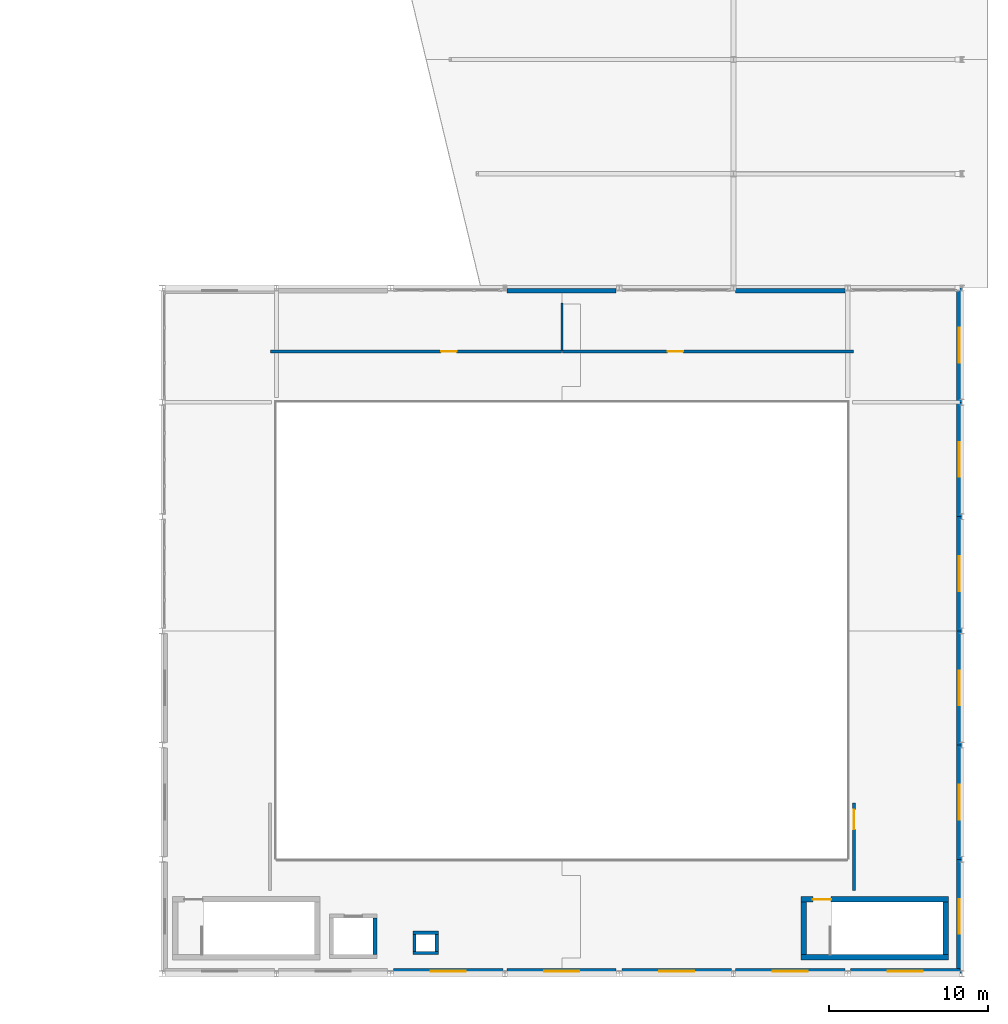
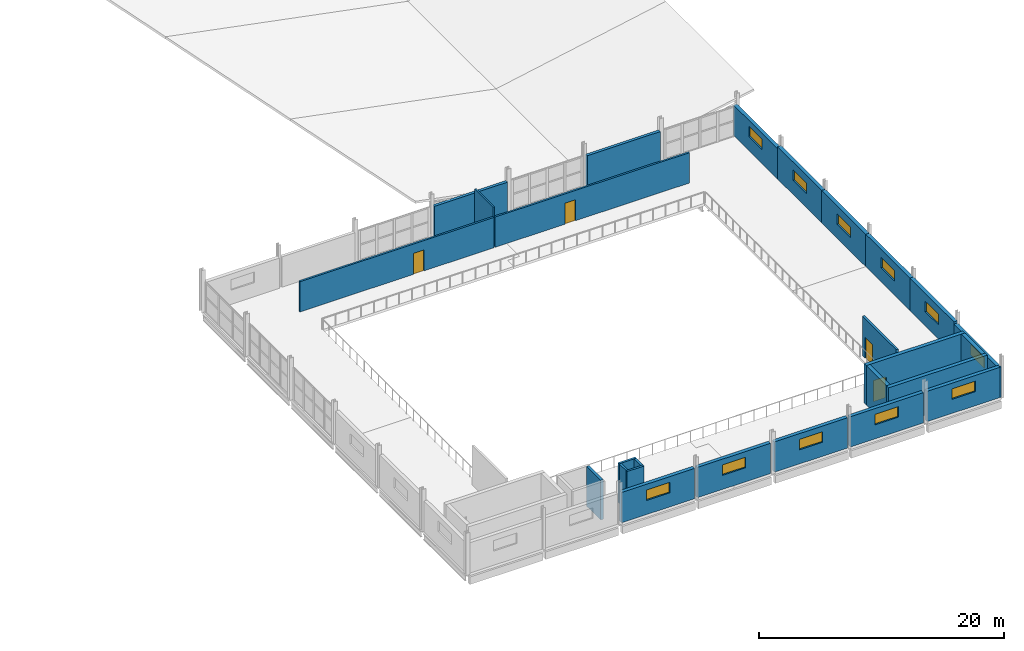
# One storey, part 75 of 94: 26 walls, 11 windows, 4 doors, 15 openings.
"""IFC4 building model written with IfcOpenShell, lengths in metres."""

from ifc_helpers import new_model, si_unit, direction, frame, frame_2d, origin, place, context, subcontext, project, spatial, rectangle, extrude, material, layer, layer_set, type_object, element, fill, save


model = new_model("IFC4")

# Units and contexts
model_context = context("Model", 3, precision=1e-05, world=origin(), true_north=direction((0.0, 1.0)))
body_context = subcontext(model_context, "Body", "Model", "MODEL_VIEW")
ifc_project = project(units=[si_unit("LENGTHUNIT", "METRE"), si_unit("AREAUNIT", "SQUARE_METRE"), si_unit("VOLUMEUNIT", "CUBIC_METRE"), si_unit("PLANEANGLEUNIT", "RADIAN"), si_unit("MASSUNIT", "GRAM", prefix="KILO")], contexts=[model_context])

# Site, building, storey
site_placement = place(None, origin())
site = spatial("IfcSite", under=ifc_project, at=site_placement, CompositionType="ELEMENT")
building_placement = place(site_placement, origin())
building = spatial("IfcBuilding", under=site, at=building_placement, Name="Kalmorath City Hall", CompositionType="ELEMENT")
storey_placement = place(building_placement, frame((0.0, 0.0, 14.699951171875)))
storey = spatial("IfcBuildingStorey", under=building, at=storey_placement, Name="L03", CompositionType="ELEMENT", Elevation=14.699951171875)

# Wall, opening, window
ifc_material_1 = material(Name="Precast concrete C40/50", Category="concrete")
ifc_layer_1 = layer(ifc_material_1, 0.340087890625)
ifc_layer_set_1 = layer_set([ifc_layer_1], Name="Precast concrete C40/50")
wall_type_1 = type_object("IfcWallType", Name="Chamber acoustic precast wall 340", PredefinedType="SOLIDWALL", material=ifc_layer_set_1)
wall_1_placement = place(storey_placement, frame((165.43994140625, 43.199951171875, 0.0), z_axis=(0.0, 0.0, 1.0), x_axis=(0.0, -1.0, 0.0)))
wall_1 = element("IfcWall", 1, at=wall_1_placement, inside=storey, type_object=wall_type_1, Name="L03 chamber acoustic wall #694", PredefinedType="SOLIDWALL", context=body_context, shape_type="SweptSolid", body=[
    extrude(rectangle(XDim=7.199951171875, YDim=0.340087890625, at=frame_2d((3.60009765625, 0.0))), origin(), (0.0, 0.0, 1.0), 3.01806640625),
])
opening_1_placement = place(wall_1_placement, frame((2.5, 0.0, 1.39990234375)))
opening_1 = element("IfcOpeningElement", 2, at=opening_1_placement, cuts=wall_1, Name="Opening WN12", PredefinedType="OPENING", context=body_context, shape_type="SweptSolid", body=[
    extrude(rectangle(XDim=2.199951171875, YDim=1.050048828125, at=frame_2d((1.10009765625, 0.52490234375))), frame((0.0, 0.179931640625, 0.0), z_axis=(0.0, -1.0, 0.0), x_axis=(1.0, 0.0, 0.0)), (0.0, 0.0, 1.0), 0.360107421875),
])
ifc_material_2 = material(Name="Acoustic laminated glass", Category="glass")
window_type = type_object("IfcWindowType", Name="Chamber clerestory acoustic window 2200x1050", PartitioningType="SINGLE_PANEL", PredefinedType="WINDOW", material=ifc_material_2)
window_1_placement = place(opening_1_placement, origin())
window_1 = element("IfcWindow", 3, at=window_1_placement, inside=storey, type_object=window_type, Name="L03 window WN12-361", OverallHeight=1.050048828125, OverallWidth=2.199951171875, PartitioningType="SINGLE_PANEL", PredefinedType="WINDOW", context=body_context, shape_type="SweptSolid", body=[
    extrude(rectangle(XDim=2.199951171875, YDim=1.050048828125, at=frame_2d((1.10009765625, 0.52490234375))), frame((0.0, 0.030029296875, 0.0), z_axis=(0.0, -1.0, 0.0), x_axis=(1.0, 0.0, 0.0)), (0.0, 0.0, 1.0), 0.06005859375),
])
fill(opening_1, window_1)

wall_2_placement = place(storey_placement, frame((165.43994140625, 36.0, 0.0), z_axis=(0.0, 0.0, 1.0), x_axis=(0.0, -1.0, 0.0)))
wall_2 = element("IfcWall", 4, at=wall_2_placement, inside=storey, type_object=wall_type_1, Name="L03 chamber acoustic wall #695", PredefinedType="SOLIDWALL", context=body_context, shape_type="SweptSolid", body=[
    extrude(rectangle(XDim=7.199951171875, YDim=0.340087890625, at=frame_2d((3.60009765625, 0.0))), origin(), (0.0, 0.0, 1.0), 3.235107421875),
])
opening_2_placement = place(wall_2_placement, frame((2.5, 0.0, 1.39990234375)))
opening_2 = element("IfcOpeningElement", 5, at=opening_2_placement, cuts=wall_2, Name="Opening WN12", PredefinedType="OPENING", context=body_context, shape_type="SweptSolid", body=[
    extrude(rectangle(XDim=2.199951171875, YDim=1.050048828125, at=frame_2d((1.10009765625, 0.52490234375))), frame((0.0, 0.179931640625, 0.0), z_axis=(0.0, -1.0, 0.0), x_axis=(1.0, 0.0, 0.0)), (0.0, 0.0, 1.0), 0.360107421875),
])
window_2_placement = place(opening_2_placement, origin())
window_2 = element("IfcWindow", 6, at=window_2_placement, inside=storey, type_object=window_type, Name="L03 window WN12-362", OverallHeight=1.050048828125, OverallWidth=2.199951171875, PartitioningType="SINGLE_PANEL", PredefinedType="WINDOW", context=body_context, shape_type="SweptSolid", body=[
    extrude(rectangle(XDim=2.199951171875, YDim=1.050048828125, at=frame_2d((1.10009765625, 0.52490234375))), frame((0.0, 0.030029296875, 0.0), z_axis=(0.0, -1.0, 0.0), x_axis=(1.0, 0.0, 0.0)), (0.0, 0.0, 1.0), 0.06005859375),
])
fill(opening_2, window_2)

wall_3_placement = place(storey_placement, frame((165.43994140625, 28.800048828125, 0.0), z_axis=(0.0, 0.0, 1.0), x_axis=(0.0, -1.0, 0.0)))
wall_3 = element("IfcWall", 7, at=wall_3_placement, inside=storey, type_object=wall_type_1, Name="L03 chamber acoustic wall #696", PredefinedType="SOLIDWALL", context=body_context, shape_type="SweptSolid", body=[
    extrude(rectangle(XDim=7.199951171875, YDim=0.340087890625, at=frame_2d((3.60009765625, 0.0))), origin(), (0.0, 0.0, 1.0), 3.235107421875),
])
opening_3_placement = place(wall_3_placement, frame((2.5, 0.0, 1.39990234375)))
opening_3 = element("IfcOpeningElement", 8, at=opening_3_placement, cuts=wall_3, Name="Opening WN12", PredefinedType="OPENING", context=body_context, shape_type="SweptSolid", body=[
    extrude(rectangle(XDim=2.199951171875, YDim=1.050048828125, at=frame_2d((1.10009765625, 0.52490234375))), frame((0.0, 0.179931640625, 0.0), z_axis=(0.0, -1.0, 0.0), x_axis=(1.0, 0.0, 0.0)), (0.0, 0.0, 1.0), 0.360107421875),
])
window_3_placement = place(opening_3_placement, origin())
window_3 = element("IfcWindow", 9, at=window_3_placement, inside=storey, type_object=window_type, Name="L03 window WN12-363", OverallHeight=1.050048828125, OverallWidth=2.199951171875, PartitioningType="SINGLE_PANEL", PredefinedType="WINDOW", context=body_context, shape_type="SweptSolid", body=[
    extrude(rectangle(XDim=2.199951171875, YDim=1.050048828125, at=frame_2d((1.10009765625, 0.52490234375))), frame((0.0, 0.030029296875, 0.0), z_axis=(0.0, -1.0, 0.0), x_axis=(1.0, 0.0, 0.0)), (0.0, 0.0, 1.0), 0.06005859375),
])
fill(opening_3, window_3)

wall_4_placement = place(storey_placement, frame((165.43994140625, 21.60009765625, 0.0), z_axis=(0.0, 0.0, 1.0), x_axis=(0.0, -1.0, 0.0)))
wall_4 = element("IfcWall", 10, at=wall_4_placement, inside=storey, type_object=wall_type_1, Name="L03 chamber acoustic wall #697", PredefinedType="SOLIDWALL", context=body_context, shape_type="SweptSolid", body=[
    extrude(rectangle(XDim=7.2001953125, YDim=0.340087890625, at=frame_2d((3.60009765625, 0.0))), origin(), (0.0, 0.0, 1.0), 3.235107421875),
])
opening_4_placement = place(wall_4_placement, frame((2.5, 0.0, 1.39990234375)))
opening_4 = element("IfcOpeningElement", 11, at=opening_4_placement, cuts=wall_4, Name="Opening WN12", PredefinedType="OPENING", context=body_context, shape_type="SweptSolid", body=[
    extrude(rectangle(XDim=2.199951171875, YDim=1.050048828125, at=frame_2d((1.10009765625, 0.52490234375))), frame((0.0, 0.179931640625, 0.0), z_axis=(0.0, -1.0, 0.0), x_axis=(1.0, 0.0, 0.0)), (0.0, 0.0, 1.0), 0.360107421875),
])
window_4_placement = place(opening_4_placement, origin())
window_4 = element("IfcWindow", 12, at=window_4_placement, inside=storey, type_object=window_type, Name="L03 window WN12-364", OverallHeight=1.050048828125, OverallWidth=2.199951171875, PartitioningType="SINGLE_PANEL", PredefinedType="WINDOW", context=body_context, shape_type="SweptSolid", body=[
    extrude(rectangle(XDim=2.199951171875, YDim=1.050048828125, at=frame_2d((1.10009765625, 0.52490234375))), frame((0.0, 0.030029296875, 0.0), z_axis=(0.0, -1.0, 0.0), x_axis=(1.0, 0.0, 0.0)), (0.0, 0.0, 1.0), 0.06005859375),
])
fill(opening_4, window_4)

wall_5_placement = place(storey_placement, frame((165.43994140625, 14.39990234375, 0.0), z_axis=(0.0, 0.0, 1.0), x_axis=(0.0, -1.0, 0.0)))
wall_5 = element("IfcWall", 13, at=wall_5_placement, inside=storey, type_object=wall_type_1, Name="L03 chamber acoustic wall #698", PredefinedType="SOLIDWALL", context=body_context, shape_type="SweptSolid", body=[
    extrude(rectangle(XDim=7.199951171875, YDim=0.340087890625, at=frame_2d((3.60009765625, 0.0))), origin(), (0.0, 0.0, 1.0), 3.235107421875),
])
opening_5_placement = place(wall_5_placement, frame((2.5, 0.0, 1.39990234375)))
opening_5 = element("IfcOpeningElement", 14, at=opening_5_placement, cuts=wall_5, Name="Opening WN12", PredefinedType="OPENING", context=body_context, shape_type="SweptSolid", body=[
    extrude(rectangle(XDim=2.199951171875, YDim=1.050048828125, at=frame_2d((1.10009765625, 0.52490234375))), frame((0.0, 0.179931640625, 0.0), z_axis=(0.0, -1.0, 0.0), x_axis=(1.0, 0.0, 0.0)), (0.0, 0.0, 1.0), 0.360107421875),
])
window_5_placement = place(opening_5_placement, origin())
window_5 = element("IfcWindow", 15, at=window_5_placement, inside=storey, type_object=window_type, Name="L03 window WN12-365", OverallHeight=1.050048828125, OverallWidth=2.199951171875, PartitioningType="SINGLE_PANEL", PredefinedType="WINDOW", context=body_context, shape_type="SweptSolid", body=[
    extrude(rectangle(XDim=2.199951171875, YDim=1.050048828125, at=frame_2d((1.10009765625, 0.52490234375))), frame((0.0, 0.030029296875, 0.0), z_axis=(0.0, -1.0, 0.0), x_axis=(1.0, 0.0, 0.0)), (0.0, 0.0, 1.0), 0.06005859375),
])
fill(opening_5, window_5)

wall_6_placement = place(storey_placement, frame((165.43994140625, 7.199951171875, 0.0), z_axis=(0.0, 0.0, 1.0), x_axis=(0.0, -1.0, 0.0)))
wall_6 = element("IfcWall", 16, at=wall_6_placement, inside=storey, type_object=wall_type_1, Name="L03 chamber acoustic wall #699", PredefinedType="SOLIDWALL", context=body_context, shape_type="SweptSolid", body=[
    extrude(rectangle(XDim=7.199951171875, YDim=0.340087890625, at=frame_2d((3.60009765625, 0.0))), origin(), (0.0, 0.0, 1.0), 3.01806640625),
])
opening_6_placement = place(wall_6_placement, frame((2.5, 0.0, 1.39990234375)))
opening_6 = element("IfcOpeningElement", 17, at=opening_6_placement, cuts=wall_6, Name="Opening WN12", PredefinedType="OPENING", context=body_context, shape_type="SweptSolid", body=[
    extrude(rectangle(XDim=2.199951171875, YDim=1.050048828125, at=frame_2d((1.10009765625, 0.52490234375))), frame((0.0, 0.179931640625, 0.0), z_axis=(0.0, -1.0, 0.0), x_axis=(1.0, 0.0, 0.0)), (0.0, 0.0, 1.0), 0.360107421875),
])
window_6_placement = place(opening_6_placement, origin())
window_6 = element("IfcWindow", 18, at=window_6_placement, inside=storey, type_object=window_type, Name="L03 window WN12-366", OverallHeight=1.050048828125, OverallWidth=2.199951171875, PartitioningType="SINGLE_PANEL", PredefinedType="WINDOW", context=body_context, shape_type="SweptSolid", body=[
    extrude(rectangle(XDim=2.199951171875, YDim=1.050048828125, at=frame_2d((1.10009765625, 0.52490234375))), frame((0.0, 0.030029296875, 0.0), z_axis=(0.0, -1.0, 0.0), x_axis=(1.0, 0.0, 0.0)), (0.0, 0.0, 1.0), 0.06005859375),
])
fill(opening_6, window_6)

wall_7_placement = place(storey_placement, frame((165.470947265625, 0.159912109375, 0.0), z_axis=(0.0, 0.0, 1.0), x_axis=(-1.0, 0.0, 0.0)))
wall_7 = element("IfcWall", 19, at=wall_7_placement, inside=storey, type_object=wall_type_1, Name="L03 chamber acoustic wall #700", PredefinedType="SOLIDWALL", context=body_context, shape_type="SweptSolid", body=[
    extrude(rectangle(XDim=6.885498046875, YDim=0.340087890625, at=frame_2d((3.44287109375, 0.0))), origin(), (0.0, 0.0, 1.0), 3.01806640625),
])
opening_7_placement = place(wall_7_placement, frame((2.3427734375, 0.0, 1.39990234375)))
opening_7 = element("IfcOpeningElement", 20, at=opening_7_placement, cuts=wall_7, Name="Opening WN12", PredefinedType="OPENING", context=body_context, shape_type="SweptSolid", body=[
    extrude(rectangle(XDim=2.199951171875, YDim=1.050048828125, at=frame_2d((1.10009765625, 0.52490234375))), frame((0.0, 0.179931640625, 0.0), z_axis=(0.0, -1.0, 0.0), x_axis=(1.0, 0.0, 0.0)), (0.0, 0.0, 1.0), 0.360107421875),
])
window_7_placement = place(opening_7_placement, origin())
window_7 = element("IfcWindow", 21, at=window_7_placement, inside=storey, type_object=window_type, Name="L03 window WN12-367", OverallHeight=1.050048828125, OverallWidth=2.199951171875, PartitioningType="SINGLE_PANEL", PredefinedType="WINDOW", context=body_context, shape_type="SweptSolid", body=[
    extrude(rectangle(XDim=2.199951171875, YDim=1.050048828125, at=frame_2d((1.10009765625, 0.52490234375))), frame((0.0, 0.030029296875, 0.0), z_axis=(0.0, -1.0, 0.0), x_axis=(1.0, 0.0, 0.0)), (0.0, 0.0, 1.0), 0.06005859375),
])
fill(opening_7, window_7)

wall_8_placement = place(storey_placement, frame((158.214599609375, 0.159912109375, 0.0), z_axis=(0.0, 0.0, 1.0), x_axis=(-1.0, 0.0, 0.0)))
wall_8 = element("IfcWall", 22, at=wall_8_placement, inside=storey, type_object=wall_type_1, Name="L03 chamber acoustic wall #701", PredefinedType="SOLIDWALL", context=body_context, shape_type="SweptSolid", body=[
    extrude(rectangle(XDim=6.885498046875, YDim=0.340087890625, at=frame_2d((3.44287109375, 0.0))), origin(), (0.0, 0.0, 1.0), 3.02197265625),
])
opening_8_placement = place(wall_8_placement, frame((2.3427734375, 0.0, 1.39990234375)))
opening_8 = element("IfcOpeningElement", 23, at=opening_8_placement, cuts=wall_8, Name="Opening WN12", PredefinedType="OPENING", context=body_context, shape_type="SweptSolid", body=[
    extrude(rectangle(XDim=2.199951171875, YDim=1.050048828125, at=frame_2d((1.10009765625, 0.52490234375))), frame((0.0, 0.179931640625, 0.0), z_axis=(0.0, -1.0, 0.0), x_axis=(1.0, 0.0, 0.0)), (0.0, 0.0, 1.0), 0.360107421875),
])
window_8_placement = place(opening_8_placement, origin())
window_8 = element("IfcWindow", 24, at=window_8_placement, inside=storey, type_object=window_type, Name="L03 window WN12-368", OverallHeight=1.050048828125, OverallWidth=2.199951171875, PartitioningType="SINGLE_PANEL", PredefinedType="WINDOW", context=body_context, shape_type="SweptSolid", body=[
    extrude(rectangle(XDim=2.199951171875, YDim=1.050048828125, at=frame_2d((1.10009765625, 0.52490234375))), frame((0.0, 0.030029296875, 0.0), z_axis=(0.0, -1.0, 0.0), x_axis=(1.0, 0.0, 0.0)), (0.0, 0.0, 1.0), 0.06005859375),
])
fill(opening_8, window_8)

wall_9_placement = place(storey_placement, frame((151.071044921875, 0.159912109375, 0.0), z_axis=(0.0, 0.0, 1.0), x_axis=(-1.0, 0.0, 0.0)))
wall_9 = element("IfcWall", 25, at=wall_9_placement, inside=storey, type_object=wall_type_1, Name="L03 chamber acoustic wall #702", PredefinedType="SOLIDWALL", context=body_context, shape_type="SweptSolid", body=[
    extrude(rectangle(XDim=6.885498046875, YDim=0.340087890625, at=frame_2d((3.44287109375, 0.0))), origin(), (0.0, 0.0, 1.0), 3.02197265625),
])
opening_9_placement = place(wall_9_placement, frame((2.3427734375, 0.0, 1.39990234375)))
opening_9 = element("IfcOpeningElement", 26, at=opening_9_placement, cuts=wall_9, Name="Opening WN12", PredefinedType="OPENING", context=body_context, shape_type="SweptSolid", body=[
    extrude(rectangle(XDim=2.199951171875, YDim=1.050048828125, at=frame_2d((1.10009765625, 0.52490234375))), frame((0.0, 0.179931640625, 0.0), z_axis=(0.0, -1.0, 0.0), x_axis=(1.0, 0.0, 0.0)), (0.0, 0.0, 1.0), 0.360107421875),
])
window_9_placement = place(opening_9_placement, origin())
window_9 = element("IfcWindow", 27, at=window_9_placement, inside=storey, type_object=window_type, Name="L03 window WN12-369", OverallHeight=1.050048828125, OverallWidth=2.199951171875, PartitioningType="SINGLE_PANEL", PredefinedType="WINDOW", context=body_context, shape_type="SweptSolid", body=[
    extrude(rectangle(XDim=2.199951171875, YDim=1.050048828125, at=frame_2d((1.10009765625, 0.52490234375))), frame((0.0, 0.030029296875, 0.0), z_axis=(0.0, -1.0, 0.0), x_axis=(1.0, 0.0, 0.0)), (0.0, 0.0, 1.0), 0.06005859375),
])
fill(opening_9, window_9)

wall_10_placement = place(storey_placement, frame((143.814453125, 0.159912109375, 0.0), z_axis=(0.0, 0.0, 1.0), x_axis=(-1.0, 0.0, 0.0)))
wall_10 = element("IfcWall", 28, at=wall_10_placement, inside=storey, type_object=wall_type_1, Name="L03 chamber acoustic wall #703", PredefinedType="SOLIDWALL", context=body_context, shape_type="SweptSolid", body=[
    extrude(rectangle(XDim=6.885498046875, YDim=0.340087890625, at=frame_2d((3.44287109375, 0.0))), origin(), (0.0, 0.0, 1.0), 3.02197265625),
])
opening_10_placement = place(wall_10_placement, frame((2.3427734375, 0.0, 1.39990234375)))
opening_10 = element("IfcOpeningElement", 29, at=opening_10_placement, cuts=wall_10, Name="Opening WN12", PredefinedType="OPENING", context=body_context, shape_type="SweptSolid", body=[
    extrude(rectangle(XDim=2.199951171875, YDim=1.050048828125, at=frame_2d((1.10009765625, 0.52490234375))), frame((0.0, 0.179931640625, 0.0), z_axis=(0.0, -1.0, 0.0), x_axis=(1.0, 0.0, 0.0)), (0.0, 0.0, 1.0), 0.360107421875),
])
window_10_placement = place(opening_10_placement, origin())
window_10 = element("IfcWindow", 30, at=window_10_placement, inside=storey, type_object=window_type, Name="L03 window WN12-370", OverallHeight=1.050048828125, OverallWidth=2.199951171875, PartitioningType="SINGLE_PANEL", PredefinedType="WINDOW", context=body_context, shape_type="SweptSolid", body=[
    extrude(rectangle(XDim=2.199951171875, YDim=1.050048828125, at=frame_2d((1.10009765625, 0.52490234375))), frame((0.0, 0.030029296875, 0.0), z_axis=(0.0, -1.0, 0.0), x_axis=(1.0, 0.0, 0.0)), (0.0, 0.0, 1.0), 0.06005859375),
])
fill(opening_10, window_10)

wall_11_placement = place(storey_placement, frame((136.6708984375, 0.159912109375, 0.0), z_axis=(0.0, 0.0, 1.0), x_axis=(-1.0, 0.0, 0.0)))
wall_11 = element("IfcWall", 31, at=wall_11_placement, inside=storey, type_object=wall_type_1, Name="L03 chamber acoustic wall #704", PredefinedType="SOLIDWALL", context=body_context, shape_type="SweptSolid", body=[
    extrude(rectangle(XDim=6.885498046875, YDim=0.340087890625, at=frame_2d((3.44287109375, 0.0))), origin(), (0.0, 0.0, 1.0), 3.02197265625),
])
opening_11_placement = place(wall_11_placement, frame((2.3427734375, 0.0, 1.39990234375)))
opening_11 = element("IfcOpeningElement", 32, at=opening_11_placement, cuts=wall_11, Name="Opening WN12", PredefinedType="OPENING", context=body_context, shape_type="SweptSolid", body=[
    extrude(rectangle(XDim=2.199951171875, YDim=1.050048828125, at=frame_2d((1.10009765625, 0.52490234375))), frame((0.0, 0.179931640625, 0.0), z_axis=(0.0, -1.0, 0.0), x_axis=(1.0, 0.0, 0.0)), (0.0, 0.0, 1.0), 0.360107421875),
])
window_11_placement = place(opening_11_placement, origin())
window_11 = element("IfcWindow", 33, at=window_11_placement, inside=storey, type_object=window_type, Name="L03 window WN12-371", OverallHeight=1.050048828125, OverallWidth=2.199951171875, PartitioningType="SINGLE_PANEL", PredefinedType="WINDOW", context=body_context, shape_type="SweptSolid", body=[
    extrude(rectangle(XDim=2.199951171875, YDim=1.050048828125, at=frame_2d((1.10009765625, 0.52490234375))), frame((0.0, 0.030029296875, 0.0), z_axis=(0.0, -1.0, 0.0), x_axis=(1.0, 0.0, 0.0)), (0.0, 0.0, 1.0), 0.06005859375),
])
fill(opening_11, window_11)

# Wall
ifc_material_3 = material(Name="Concrete C50/60", Category="concrete")
ifc_layer_2 = layer(ifc_material_3, 0.35009765625)
ifc_layer_set_2 = layer_set([ifc_layer_2], Name="Concrete C50/60")
wall_type_2 = type_object("IfcWallType", Name="Concrete core shear wall 350", PredefinedType="SHEAR", material=ifc_layer_set_2)
wall_12_placement = place(storey_placement, frame((155.449951171875, 1.02490234375, 0.0), z_axis=(0.0, 0.0, 1.0), x_axis=(1.0, 0.0, 0.0)))
element("IfcWall", 34, at=wall_12_placement, inside=storey, type_object=wall_type_2, Name="L03 C7 stair core shear wall S", PredefinedType="SHEAR", context=body_context, shape_type="SweptSolid", body=[
    extrude(rectangle(XDim=9.300048828125, YDim=0.35009765625, at=frame_2d((4.64990234375, 0.0))), origin(), (0.0, 0.0, 1.0), 3.949951171875),
])

# Wall, opening, door
wall_13_placement = place(storey_placement, frame((164.75, 4.675048828125, 0.0), z_axis=(0.0, 0.0, 1.0), x_axis=(-1.0, 0.0, 0.0)))
wall_13 = element("IfcWall", 35, at=wall_13_placement, inside=storey, type_object=wall_type_2, Name="L03 C7 stair core shear wall N", PredefinedType="SHEAR", context=body_context, shape_type="SweptSolid", body=[
    extrude(rectangle(XDim=9.300048828125, YDim=0.35009765625, at=frame_2d((4.64990234375, 0.0))), origin(), (0.0, 0.0, 1.0), 3.949951171875),
])
opening_12_placement = place(wall_13_placement, frame((7.39990234375, 0.0, 0.0)))
opening_12 = element("IfcOpeningElement", 36, at=opening_12_placement, cuts=wall_13, Name="Opening D-L03-107", PredefinedType="OPENING", context=body_context, shape_type="SweptSolid", body=[
    extrude(rectangle(XDim=1.14990234375, YDim=2.10009765625, at=frame_2d((0.574951171875, 1.050048828125))), frame((0.0, 0.18505859375, 0.0), z_axis=(0.0, -1.0, 0.0), x_axis=(1.0, 0.0, 0.0)), (0.0, 0.0, 1.0), 0.3701171875),
])
ifc_material_4 = material(Name="Galvanised steel fire door", Category="steel")
door_type_1 = type_object("IfcDoorType", Name="Stair enclosure 90-min fire door 1150x2100", OperationType="NOTDEFINED", PredefinedType="DOOR", material=ifc_material_4)
door_1_placement = place(opening_12_placement, frame((1.14990234375, 0.0, 0.0), z_axis=(0.0, 0.0, 1.0), x_axis=(-1.0, 0.0, 0.0)))
door_1 = element("IfcDoor", 37, at=door_1_placement, inside=storey, type_object=door_type_1, Name="L03 door D-L03-107", OperationType="SINGLE_SWING_LEFT", OverallHeight=2.10009765625, OverallWidth=1.14990234375, PredefinedType="DOOR", context=body_context, shape_type="SweptSolid", body=[
    extrude(rectangle(XDim=1.14990234375, YDim=2.10009765625, at=frame_2d((0.574951171875, 1.050048828125))), frame((0.0, 0.02490234375, 0.0), z_axis=(0.0, -1.0, 0.0), x_axis=(1.0, 0.0, 0.0)), (0.0, 0.0, 1.0), 0.050048828125),
])
fill(opening_12, door_1)

# Walls
for number, where, z_axis, x_axis, name in (
    (38, (155.625, 4.5, 0.0), (0.0, 0.0, 1.0), (0.0, -1.0, 0.0), "L03 C7 stair core shear wall W"),
    (39, (164.574951171875, 1.199951171875, 0.0), (0.0, 0.0, 1.0), (0.0, 1.0, 0.0), "L03 C7 stair core shear wall E"),
):
    element("IfcWall", number, at=place(storey_placement, frame(where, z_axis=z_axis, x_axis=x_axis)), inside=storey, type_object=wall_type_2, Name=name, PredefinedType="SHEAR", context=body_context, shape_type="SweptSolid", body=[
        extrude(rectangle(XDim=3.300048828125, YDim=0.35009765625, at=frame_2d((1.64990234375, 0.0))), origin(), (0.0, 0.0, 1.0), 3.949951171875),
    ])
ifc_material_5 = material(Name="Concrete C50/60", Category="concrete")
ifc_layer_3 = layer(ifc_material_5, 0.25)
ifc_layer_set_3 = layer_set([ifc_layer_3], Name="Concrete C50/60")
wall_type_3 = type_object("IfcWallType", Name="Concrete lift shaft wall 250", PredefinedType="SHEAR", material=ifc_layer_set_3)
wall_14_placement = place(storey_placement, frame((128.625, 1.199951171875, 0.0), z_axis=(0.0, 0.0, 1.0), x_axis=(0.0, 1.0, 0.0)))
element("IfcWall", 40, at=wall_14_placement, inside=storey, type_object=wall_type_3, Name="L03 PL5 lift shaft wall +x", PredefinedType="SHEAR", context=body_context, shape_type="SweptSolid", body=[
    extrude(rectangle(XDim=2.300048828125, YDim=0.25, at=frame_2d((1.14990234375, 0.0))), origin(), (0.0, 0.0, 1.0), 3.949951171875),
])
ifc_material_6 = material(Name="Concrete C40/50", Category="concrete")
ifc_layer_4 = layer(ifc_material_6, 0.199951171875)
ifc_layer_set_4 = layer_set([ifc_layer_4], Name="Concrete C40/50")
wall_type_4 = type_object("IfcWallType", Name="Concrete service riser wall 200", PredefinedType="SOLIDWALL", material=ifc_layer_set_4)
for number, where, z_axis, x_axis, name in (
    (41, (131.0, 1.300048828125, 0.0), (0.0, 0.0, 1.0), (1.0, 0.0, 0.0), "L03 RSR-3 riser shaft wall S"),
    (42, (132.60009765625, 2.580078125, 0.0), (0.0, 0.0, 1.0), (-1.0, 0.0, 0.0), "L03 RSR-3 riser shaft wall N"),
):
    element("IfcWall", number, at=place(storey_placement, frame(where, z_axis=z_axis, x_axis=x_axis)), inside=storey, type_object=wall_type_4, Name=name, PredefinedType="SOLIDWALL", context=body_context, shape_type="SweptSolid", body=[
        extrude(rectangle(XDim=1.60009765625, YDim=0.199951171875, at=frame_2d((0.800048828125, 0.0))), origin(), (0.0, 0.0, 1.0), 3.949951171875),
    ])
for number, where, z_axis, x_axis, name in (
    (43, (131.10009765625, 2.47998046875, 0.0), (0.0, 0.0, 1.0), (0.0, -1.0, 0.0), "L03 RSR-3 riser shaft wall W"),
    (44, (132.5, 1.39990234375, 0.0), (0.0, 0.0, 1.0), (0.0, 1.0, 0.0), "L03 RSR-3 riser shaft wall E"),
):
    element("IfcWall", number, at=place(storey_placement, frame(where, z_axis=z_axis, x_axis=x_axis)), inside=storey, type_object=wall_type_4, Name=name, PredefinedType="SOLIDWALL", context=body_context, shape_type="SweptSolid", body=[
        extrude(rectangle(XDim=1.080078125, YDim=0.199951171875, at=frame_2d((0.5400390625, 0.0))), origin(), (0.0, 0.0, 1.0), 3.949951171875),
    ])
ifc_material_7 = material(Name="Acoustic metal-stud gypsum partition")
ifc_layer_5 = layer(ifc_material_7, 0.14990234375)
ifc_layer_set_5 = layer_set([ifc_layer_5], Name="Acoustic metal-stud gypsum partition")
wall_type_5 = type_object("IfcWallType", Name="Departmental suite partition 150", PredefinedType="PARTITIONING", material=ifc_layer_set_5)
wall_15_placement = place(storey_placement, frame((140.39990234375, 39.239990234375, 0.0), z_axis=(0.0, 0.0, 1.0), x_axis=(0.0, 1.0, 0.0)))
element("IfcWall", 45, at=wall_15_placement, inside=storey, type_object=wall_type_5, Name="L03 interior partition PW4 #152", PredefinedType="PARTITIONING", context=body_context, shape_type="SweptSolid", body=[
    extrude(rectangle(XDim=3.02001953125, YDim=0.14990234375, at=frame_2d((1.510009765625, 0.0))), origin(), (0.0, 0.0, 1.0), 3.949951171875),
])
ifc_material_8 = material(Name="Precast concrete C40/50", Category="concrete")
ifc_layer_6 = layer(ifc_material_8, 0.27001953125)
ifc_layer_set_6 = layer_set([ifc_layer_6], Name="Precast concrete C40/50")
wall_type_6 = type_object("IfcWallType", Name="Library splayed facade wall 270", PredefinedType="SOLIDWALL", material=ifc_layer_set_6)
for number, where, z_axis, x_axis, name in (
    (46, (136.928955078125, 43.0400390625, 0.0), (0.0, 0.0, 1.0), (1.0, 0.0, 0.0), "L03 library wall #712"),
    (47, (151.3291015625, 43.0400390625, 0.0), (0.0, 0.0, 1.0), (1.0, 0.0, 0.0), "L03 library wall #713"),
):
    element("IfcWall", number, at=place(storey_placement, frame(where, z_axis=z_axis, x_axis=x_axis)), inside=storey, type_object=wall_type_6, Name=name, PredefinedType="SOLIDWALL", context=body_context, shape_type="SweptSolid", body=[
        extrude(rectangle(XDim=6.885498046875, YDim=0.27001953125, at=frame_2d((3.44287109375, 0.0))), origin(), (0.0, 0.0, 1.0), 3.02197265625),
    ])

# Wall, opening, door
ifc_material_9 = material(Name="Fire-rated acoustic gypsum partition")
ifc_layer_7 = layer(ifc_material_9, 0.179931640625)
ifc_layer_set_7 = layer_set([ifc_layer_7], Name="Fire-rated acoustic gypsum partition")
wall_type_7 = type_object("IfcWallType", Name="One-hour corridor fire partition 180", PredefinedType="PARTITIONING", material=ifc_layer_set_7)
wall_16_placement = place(storey_placement, frame((122.0400390625, 39.199951171875, 0.0), z_axis=(0.0, 0.0, 1.0), x_axis=(1.0, 0.0, 0.0)))
wall_16 = element("IfcWall", 48, at=wall_16_placement, inside=storey, type_object=wall_type_7, Name="L03 interior partition PW2 #148", PredefinedType="PARTITIONING", context=body_context, shape_type="SweptSolid", body=[
    extrude(rectangle(XDim=18.320068359375, YDim=0.179931640625, at=frame_2d((9.16015625, 0.0))), origin(), (0.0, 0.0, 1.0), 3.02197265625),
])
opening_13_placement = place(wall_16_placement, frame((10.732421875, 0.0, 0.0)))
opening_13 = element("IfcOpeningElement", 49, at=opening_13_placement, cuts=wall_16, Name="Opening D-L03-235", PredefinedType="OPENING", context=body_context, shape_type="SweptSolid", body=[
    extrude(rectangle(XDim=0.97998046875, YDim=2.10009765625, at=frame_2d((0.489990234375, 1.050048828125))), frame((0.0, 0.099853515625, 0.0), z_axis=(0.0, -1.0, 0.0), x_axis=(1.0, 0.0, 0.0)), (0.0, 0.0, 1.0), 0.199951171875),
])
ifc_material_10 = material(Name="Hardwood veneer door", Category="wood")
door_type_2 = type_object("IfcDoorType", Name="Municipal suite single door 980x2100", OperationType="NOTDEFINED", PredefinedType="DOOR", material=ifc_material_10)
door_2_placement = place(opening_13_placement, origin())
door_2 = element("IfcDoor", 50, at=door_2_placement, inside=storey, type_object=door_type_2, Name="L03 door D-L03-235", OperationType="SINGLE_SWING_LEFT", OverallHeight=2.10009765625, OverallWidth=0.97998046875, PredefinedType="DOOR", context=body_context, shape_type="SweptSolid", body=[
    extrude(rectangle(XDim=0.97998046875, YDim=2.10009765625, at=frame_2d((0.489990234375, 1.050048828125))), frame((0.0, 0.02490234375, 0.0), z_axis=(0.0, -1.0, 0.0), x_axis=(1.0, 0.0, 0.0)), (0.0, 0.0, 1.0), 0.050048828125),
])
fill(opening_13, door_2)

wall_17_placement = place(storey_placement, frame((140.43994140625, 39.199951171875, 0.0), z_axis=(0.0, 0.0, 1.0), x_axis=(1.0, 0.0, 0.0)))
wall_17 = element("IfcWall", 51, at=wall_17_placement, inside=storey, type_object=wall_type_7, Name="L03 interior partition PW2 #149", PredefinedType="PARTITIONING", context=body_context, shape_type="SweptSolid", body=[
    extrude(rectangle(XDim=18.320068359375, YDim=0.179931640625, at=frame_2d((9.16015625, 0.0))), origin(), (0.0, 0.0, 1.0), 3.02197265625),
])
opening_14_placement = place(wall_17_placement, frame((6.607421875, 0.0, 0.0)))
opening_14 = element("IfcOpeningElement", 52, at=opening_14_placement, cuts=wall_17, Name="Opening D-L03-236", PredefinedType="OPENING", context=body_context, shape_type="SweptSolid", body=[
    extrude(rectangle(XDim=0.97998046875, YDim=2.10009765625, at=frame_2d((0.489990234375, 1.050048828125))), frame((0.0, 0.099853515625, 0.0), z_axis=(0.0, -1.0, 0.0), x_axis=(1.0, 0.0, 0.0)), (0.0, 0.0, 1.0), 0.199951171875),
])
door_3_placement = place(opening_14_placement, origin())
door_3 = element("IfcDoor", 53, at=door_3_placement, inside=storey, type_object=door_type_2, Name="L03 door D-L03-236", OperationType="SINGLE_SWING_RIGHT", OverallHeight=2.10009765625, OverallWidth=0.97998046875, PredefinedType="DOOR", context=body_context, shape_type="SweptSolid", body=[
    extrude(rectangle(XDim=0.97998046875, YDim=2.10009765625, at=frame_2d((0.489990234375, 1.050048828125))), frame((0.0, 0.02490234375, 0.0), z_axis=(0.0, -1.0, 0.0), x_axis=(1.0, 0.0, 0.0)), (0.0, 0.0, 1.0), 0.050048828125),
])
fill(opening_14, door_3)

ifc_material_11 = material(Name="Gypsum fire-rated shaftliner partition")
ifc_layer_8 = layer(ifc_material_11, 0.199951171875)
ifc_layer_set_8 = layer_set([ifc_layer_8], Name="Gypsum fire-rated shaftliner partition")
wall_type_8 = type_object("IfcWallType", Name="Two-hour fire barrier partition 200", PredefinedType="PARTITIONING", material=ifc_layer_set_8)
wall_18_placement = place(storey_placement, frame((158.800048828125, 5.239990234375, 0.0), z_axis=(0.0, 0.0, 1.0), x_axis=(0.0, 1.0, 0.0)))
wall_18 = element("IfcWall", 54, at=wall_18_placement, inside=storey, type_object=wall_type_8, Name="L03 interior partition PW1 #151", PredefinedType="PARTITIONING", context=body_context, shape_type="SweptSolid", body=[
    extrude(rectangle(XDim=5.52001953125, YDim=0.199951171875, at=frame_2d((2.760009765625, 0.0))), origin(), (0.0, 0.0, 1.0), 3.949951171875),
])
opening_15_placement = place(wall_18_placement, frame((3.85009765625, 0.0, 0.0)))
opening_15 = element("IfcOpeningElement", 55, at=opening_15_placement, cuts=wall_18, Name="Opening D-L03-237", PredefinedType="OPENING", context=body_context, shape_type="SweptSolid", body=[
    extrude(rectangle(XDim=1.25, YDim=2.10009765625, at=frame_2d((0.625, 1.050048828125))), frame((0.0, 0.10986328125, 0.0), z_axis=(0.0, -1.0, 0.0), x_axis=(1.0, 0.0, 0.0)), (0.0, 0.0, 1.0), 0.219970703125),
])
ifc_material_12 = material(Name="Galvanised steel fire door", Category="steel")
door_type_3 = type_object("IfcDoorType", Name="Plant and archive 90-min fire door 1250x2100", OperationType="NOTDEFINED", PredefinedType="DOOR", material=ifc_material_12)
door_4_placement = place(opening_15_placement, origin())
door_4 = element("IfcDoor", 56, at=door_4_placement, inside=storey, type_object=door_type_3, Name="L03 door D-L03-237", OperationType="SINGLE_SWING_LEFT", OverallHeight=2.10009765625, OverallWidth=1.25, PredefinedType="DOOR", context=body_context, shape_type="SweptSolid", body=[
    extrude(rectangle(XDim=1.25, YDim=2.10009765625, at=frame_2d((0.625, 1.050048828125))), frame((0.0, 0.02490234375, 0.0), z_axis=(0.0, -1.0, 0.0), x_axis=(1.0, 0.0, 0.0)), (0.0, 0.0, 1.0), 0.050048828125),
])
fill(opening_15, door_4)

save(model, "model.ifc")
